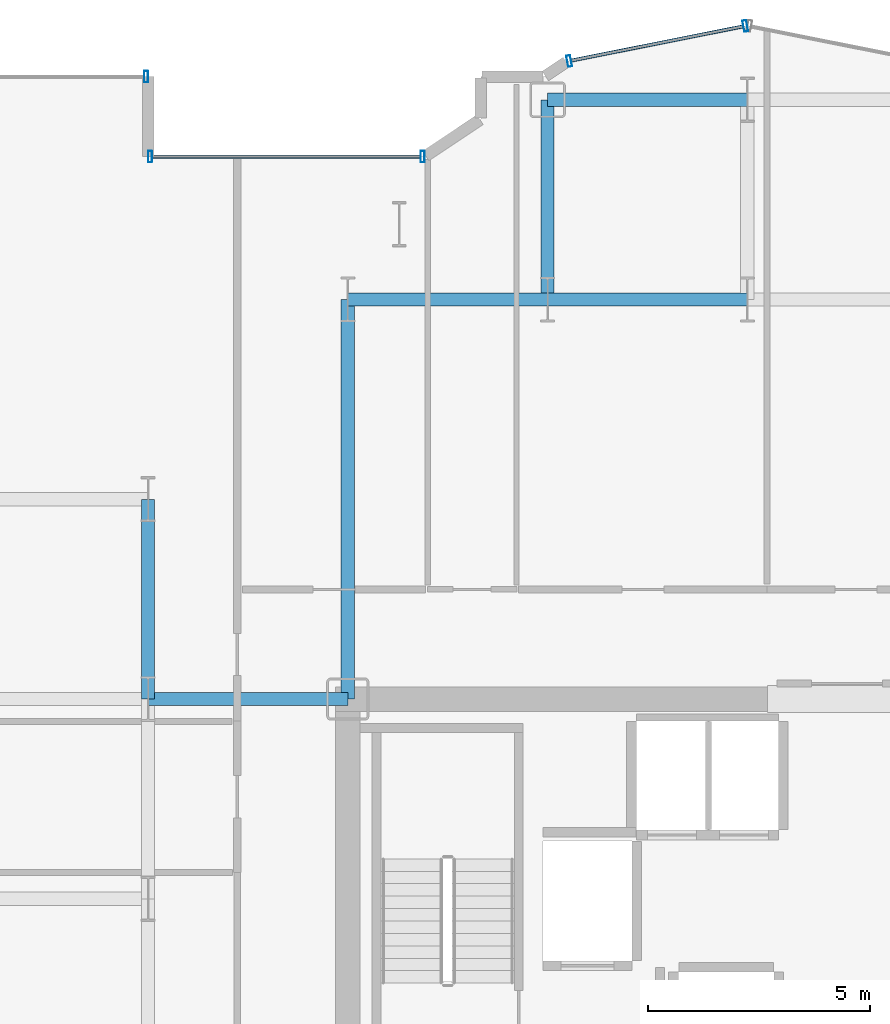
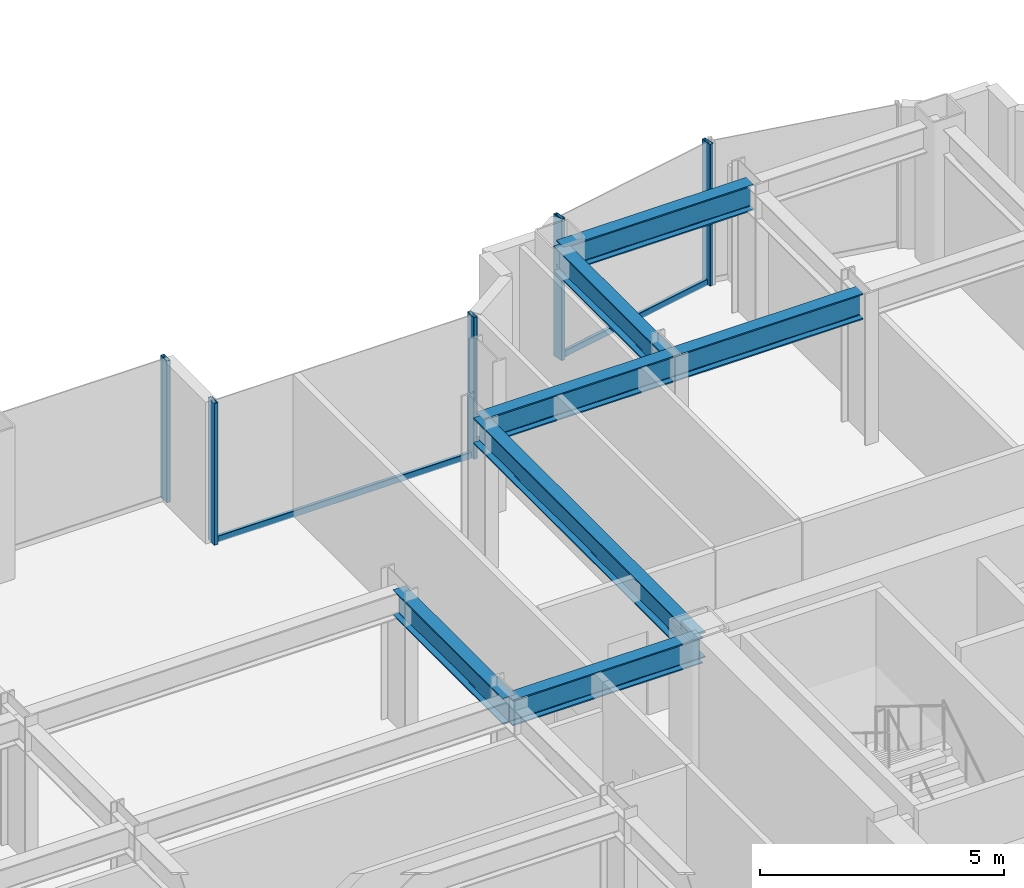
# One storey, part 10 of 26: 7 beams, 7 members, 3 elements without a shape of their own.
"""IFC4 building model written with IfcOpenShell, lengths in metres."""

from ifc_helpers import new_model, si_unit, direction, frame, origin, origin_2d, place, context, subcontext, project, spatial, hollow_rectangle, i_section, extrude, source, transform, mapped, material, layer, layer_set, material_profile, profile_set, type_object, element, aggregate, save


model = new_model("IFC4")

# Units and contexts
model_context = context("Model", 3, precision=1e-05, world=origin(), true_north=direction((0.0, 1.0)))
body_context = subcontext(model_context, "Body", "Model", "MODEL_VIEW")
ifc_project = project(units=[si_unit("LENGTHUNIT", "METRE"), si_unit("AREAUNIT", "SQUARE_METRE"), si_unit("VOLUMEUNIT", "CUBIC_METRE"), si_unit("PLANEANGLEUNIT", "RADIAN"), si_unit("MASSUNIT", "GRAM", prefix="KILO")], contexts=[model_context])

# Site, building, storey
site_placement = place(None, origin())
site = spatial("IfcSite", under=ifc_project, at=site_placement, CompositionType="ELEMENT")
building_placement = place(site_placement, origin())
building = spatial("IfcBuilding", under=site, at=building_placement, Name="Nefas-Gora Pilgrimage Tower", CompositionType="ELEMENT")
storey_placement = place(building_placement, frame((0.0, 0.0, 121.199951171875)))
storey = spatial("IfcBuildingStorey", under=building, at=storey_placement, Name="L29", CompositionType="ELEMENT", Elevation=121.199951171875)

# Beams
ifc_material_1 = material(Name="Steel S355", Category="steel")
ifc_material_profile_1 = material_profile(ifc_material_1, i_section(OverallWidth=0.300048828125, OverallDepth=0.64990234375, WebThickness=0.01611328125, FlangeThickness=0.031005859375, FilletRadius=0.027099609375, at=origin_2d()), Name="HEB 650")
ifc_profile_set_1 = profile_set([ifc_material_profile_1], Name="Steel S355")
beam_type = type_object("IfcBeamType", Name="BM-GIR-HEB650", PredefinedType="BEAM", material=ifc_profile_set_1)
shared_shape_1 = source(origin(), body_context, "Body", "SweptSolid", [
    extrude(i_section(OverallWidth=0.300048828125, OverallDepth=0.64990234375, WebThickness=0.01611328125, FlangeThickness=0.031005859375, FilletRadius=0.027099609375, at=origin_2d()), origin(), (0.0, 0.0, 1.0), 9.0),
])
beam_placement = place(storey_placement, frame((-11.25, 9.0, 3.22509765625), z_axis=(0.0, 1.0, 0.0), x_axis=(-1.0, 0.0, 0.0)))
element("IfcBeam", 1, at=beam_placement, inside=storey, type_object=beam_type, Name="L29 G-03 beam", PredefinedType="BEAM", context=body_context, shape_type="MappedRepresentation", body=[
    mapped(shared_shape_1, transform((0.0, 0.0, 0.0), x_axis=(1.0, 0.0, 0.0), y_axis=(0.0, 1.0, 0.0), z_axis=(0.0, 0.0, 1.0), scale=1.0)),
])
shared_shape_2 = source(origin(), body_context, "Body", "SweptSolid", [
    extrude(i_section(OverallWidth=0.300048828125, OverallDepth=0.64990234375, WebThickness=0.01611328125, FlangeThickness=0.031005859375, FilletRadius=0.027099609375, at=origin_2d()), origin(), (0.0, 0.0, 1.0), 4.5),
])
for number, where, z_axis, x_axis, name in (
    (2, (-15.75, 9.0, 3.22509765625), (0.0, 1.0, 0.0), (-1.0, 0.0, 0.0), "L29 G-03 beam"),
    (3, (-15.75, 9.0, 3.22509765625), (1.0, 0.0, 0.0), (0.0, 1.0, 0.0), "L29 G-03 beam"),
    (4, (-11.25, 18.0, 3.22509765625), (1.0, 0.0, 0.0), (0.0, 1.0, 0.0), "L29 G-03 beam"),
    (5, (-6.75, 18.0, 3.22509765625), (0.0, 1.0, 0.0), (-1.0, 0.0, 0.0), "L29 G-03 beam"),
    (6, (-6.75, 18.0, 3.22509765625), (1.0, 0.0, 0.0), (0.0, 1.0, 0.0), "L29 G-03 beam"),
    (7, (-6.75, 22.5, 3.22509765625), (1.0, 0.0, 0.0), (0.0, 1.0, 0.0), "L29 G-03 beam"),
):
    element("IfcBeam", number, at=place(storey_placement, frame(where, z_axis=z_axis, x_axis=x_axis)), inside=storey, type_object=beam_type, Name=name, PredefinedType="BEAM", context=body_context, shape_type="MappedRepresentation", body=[
        mapped(shared_shape_2, transform((0.0, 0.0, 0.0), x_axis=(1.0, 0.0, 0.0), y_axis=(0.0, 1.0, 0.0), z_axis=(0.0, 0.0, 1.0), scale=1.0)),
    ])

# Curtain wall, members
ifc_material_2 = material(Name="Dark ceramic-fritted solar-control aluminium-glass curtain wall", Category="aluminium")
ifc_layer_1 = layer(ifc_material_2, 0.219970703125)
ifc_layer_set_1 = layer_set([ifc_layer_1], Name="Dark ceramic-fritted solar-control aluminium-glass curtain wall")
curtain_wall_type_1 = type_object("IfcCurtainWallType", Name="CW-SYS-5", PredefinedType="NOTDEFINED", material=ifc_layer_set_1)
curtain_wall_1_placement = place(storey_placement, origin())
curtain_wall_1 = element("IfcCurtainWall", 8, at=curtain_wall_1_placement, inside=storey, type_object=curtain_wall_type_1, Name="L29 Unitised Curtain Wall CW5", PredefinedType="NOTDEFINED")
ifc_material_3 = material(Name="Anodised architectural aluminium", Category="aluminium")
ifc_material_profile_2 = material_profile(ifc_material_3, hollow_rectangle(XDim=0.090087890625, YDim=0.260009765625, WallThickness=0.006103515625, InnerFilletRadius=0.006103515625, OuterFilletRadius=0.011962890625, at=origin_2d()), Name="ALU MULLION 90x260")
ifc_profile_set_2 = profile_set([ifc_material_profile_2], Name="Anodised architectural aluminium")
member_type_1 = type_object("IfcMemberType", Name="CWM-MUL-5", PredefinedType="MULLION", material=ifc_profile_set_2)
shared_shape_3 = source(origin(), body_context, "Body", "SweptSolid", [
    extrude(hollow_rectangle(XDim=0.090087890625, YDim=0.260009765625, WallThickness=0.006103515625, InnerFilletRadius=0.006103515625, OuterFilletRadius=0.011962890625, at=origin_2d()), origin(), (0.0, 0.0, 1.0), 3.550048828125),
])
member_1_placement = place(storey_placement, frame((-2.294189453125, 24.16357421875, 0.0), z_axis=(0.0, 0.0, 1.0), x_axis=(-0.980782896852, -0.195102304554, 0.0)))
member_1 = element("IfcMember", 9, at=member_1_placement, type_object=member_type_1, Name="CW5 Mullion 1", PredefinedType="MULLION", context=body_context, shape_type="MappedRepresentation", body=[
    mapped(shared_shape_3, transform((0.0, 0.0, 0.0), x_axis=(1.0, 0.0, 0.0), y_axis=(0.0, 1.0, 0.0), z_axis=(0.0, 0.0, 1.0), scale=1.0)),
])
member_2_placement = place(storey_placement, frame((-6.26318359375, 23.3740234375, 0.0), z_axis=(0.0, 0.0, 1.0), x_axis=(-0.980782896852, -0.195102304554, 0.0)))
member_2 = element("IfcMember", 10, at=member_2_placement, type_object=member_type_1, Name="CW5 Mullion 2", PredefinedType="MULLION", context=body_context, shape_type="MappedRepresentation", body=[
    mapped(shared_shape_3, transform((0.0, 0.0, 0.0), x_axis=(1.0, 0.0, 0.0), y_axis=(0.0, 1.0, 0.0), z_axis=(0.0, 0.0, 1.0), scale=1.0)),
])

curtain_wall_2_placement = place(storey_placement, origin())
curtain_wall_2 = element("IfcCurtainWall", 11, at=curtain_wall_2_placement, inside=storey, type_object=curtain_wall_type_1, Name="L29 Unitised Curtain Wall CW5", PredefinedType="NOTDEFINED")
member_3_placement = place(storey_placement, frame((-9.56298828125, 21.219970703125, 0.0), z_axis=(0.0, 0.0, 1.0), x_axis=(-1.0, 0.0, 0.0)))
member_3 = element("IfcMember", 12, at=member_3_placement, type_object=member_type_1, Name="CW5 Mullion 1", PredefinedType="MULLION", context=body_context, shape_type="MappedRepresentation", body=[
    mapped(shared_shape_3, transform((0.0, 0.0, 0.0), x_axis=(1.0, 0.0, 0.0), y_axis=(0.0, 1.0, 0.0), z_axis=(0.0, 0.0, 1.0), scale=1.0)),
])
member_4_placement = place(storey_placement, frame((-15.705078125, 21.219970703125, 0.0), z_axis=(0.0, 0.0, 1.0), x_axis=(-1.0, 0.0, 0.0)))
member_4 = element("IfcMember", 13, at=member_4_placement, type_object=member_type_1, Name="CW5 Mullion 2", PredefinedType="MULLION", context=body_context, shape_type="MappedRepresentation", body=[
    mapped(shared_shape_3, transform((0.0, 0.0, 0.0), x_axis=(1.0, 0.0, 0.0), y_axis=(0.0, 1.0, 0.0), z_axis=(0.0, 0.0, 1.0), scale=1.0)),
])
ifc_material_profile_3 = material_profile(ifc_material_3, hollow_rectangle(XDim=0.080078125, YDim=0.159912109375, WallThickness=0.00439453125, InnerFilletRadius=0.00439453125, OuterFilletRadius=0.009033203125, at=origin_2d()), Name="ALU TRANSOM 80x160")
ifc_profile_set_3 = profile_set([ifc_material_profile_3], Name="Anodised architectural aluminium")
member_type_2 = type_object("IfcMemberType", Name="CWM-TRN-5", PredefinedType="USERDEFINED", material=ifc_profile_set_3)
shared_shape_4 = source(origin(), body_context, "Body", "SweptSolid", [
    extrude(hollow_rectangle(XDim=0.080078125, YDim=0.159912109375, WallThickness=0.00439453125, InnerFilletRadius=0.00439453125, OuterFilletRadius=0.009033203125, at=origin_2d()), origin(), (0.0, 0.0, 1.0), 6.052001953125),
])
member_5_placement = place(storey_placement, frame((-9.60791015625, 21.219970703125, 0.050048828125), z_axis=(-1.0, 0.0, 0.0), x_axis=(0.0, -1.0, 0.0)))
member_5 = element("IfcMember", 14, at=member_5_placement, type_object=member_type_2, Name="CW5 Spandrel Transom", ObjectType="TRANSOM", PredefinedType="USERDEFINED", context=body_context, shape_type="MappedRepresentation", body=[
    mapped(shared_shape_4, transform((0.0, 0.0, 0.0), x_axis=(1.0, 0.0, 0.0), y_axis=(0.0, 1.0, 0.0), z_axis=(0.0, 0.0, 1.0), scale=1.0)),
])
aggregate(curtain_wall_2, [member_3, member_4, member_5])

# Curtain wall, member
ifc_layer_2 = layer(ifc_material_2, 0.219970703125)
ifc_layer_set_2 = layer_set([ifc_layer_2], Name="Dark ceramic-fritted solar-control aluminium-glass curtain wall")
curtain_wall_type_2 = type_object("IfcCurtainWallType", Name="CW-SYS-2", PredefinedType="NOTDEFINED", material=ifc_layer_set_2)
curtain_wall_3_placement = place(storey_placement, origin())
curtain_wall_3 = element("IfcCurtainWall", 15, at=curtain_wall_3_placement, inside=storey, type_object=curtain_wall_type_2, Name="L29 Unitised Curtain Wall CW2", PredefinedType="NOTDEFINED")
ifc_material_profile_4 = material_profile(ifc_material_3, hollow_rectangle(XDim=0.090087890625, YDim=0.260009765625, WallThickness=0.006103515625, InnerFilletRadius=0.006103515625, OuterFilletRadius=0.011962890625, at=origin_2d()), Name="ALU MULLION 90x260")
ifc_profile_set_4 = profile_set([ifc_material_profile_4], Name="Anodised architectural aluminium")
member_type_3 = type_object("IfcMemberType", Name="CWM-MUL-2", PredefinedType="MULLION", material=ifc_profile_set_4)
shared_shape_5 = source(origin(), body_context, "Body", "SweptSolid", [
    extrude(hollow_rectangle(XDim=0.090087890625, YDim=0.260009765625, WallThickness=0.006103515625, InnerFilletRadius=0.006103515625, OuterFilletRadius=0.011962890625, at=origin_2d()), origin(), (0.0, 0.0, 1.0), 3.550048828125),
])
member_6_placement = place(storey_placement, frame((-15.794921875, 23.02001953125, 0.0), z_axis=(0.0, 0.0, 1.0), x_axis=(-1.0, 0.0, 0.0)))
member_6 = element("IfcMember", 16, at=member_6_placement, type_object=member_type_3, Name="CW2 Mullion 1", PredefinedType="MULLION", context=body_context, shape_type="MappedRepresentation", body=[
    mapped(shared_shape_5, transform((0.0, 0.0, 0.0), x_axis=(1.0, 0.0, 0.0), y_axis=(0.0, 1.0, 0.0), z_axis=(0.0, 0.0, 1.0), scale=1.0)),
])
aggregate(curtain_wall_3, [member_6])

# Member
shared_shape_6 = source(origin(), body_context, "Body", "SweptSolid", [
    extrude(hollow_rectangle(XDim=0.080078125, YDim=0.159912109375, WallThickness=0.00439453125, InnerFilletRadius=0.00439453125, OuterFilletRadius=0.009033203125, at=origin_2d()), origin(), (0.0, 0.0, 1.0), 3.95654296875),
])
member_7_placement = place(storey_placement, frame((-2.33837890625, 24.15478515625, 0.050048828125), z_axis=(-0.980781880918, -0.195107411605, 0.0), x_axis=(0.195107411605, -0.980781880918, 0.0)))
member_7 = element("IfcMember", 17, at=member_7_placement, type_object=member_type_2, Name="CW5 Spandrel Transom", ObjectType="TRANSOM", PredefinedType="USERDEFINED", context=body_context, shape_type="MappedRepresentation", body=[
    mapped(shared_shape_6, transform((0.0, 0.0, 0.0), x_axis=(1.0, 0.0, 0.0), y_axis=(0.0, 1.0, 0.0), z_axis=(0.0, 0.0, 1.0), scale=1.0)),
])

aggregate(curtain_wall_1, [member_1, member_2, member_7])

save(model, "model.ifc")
